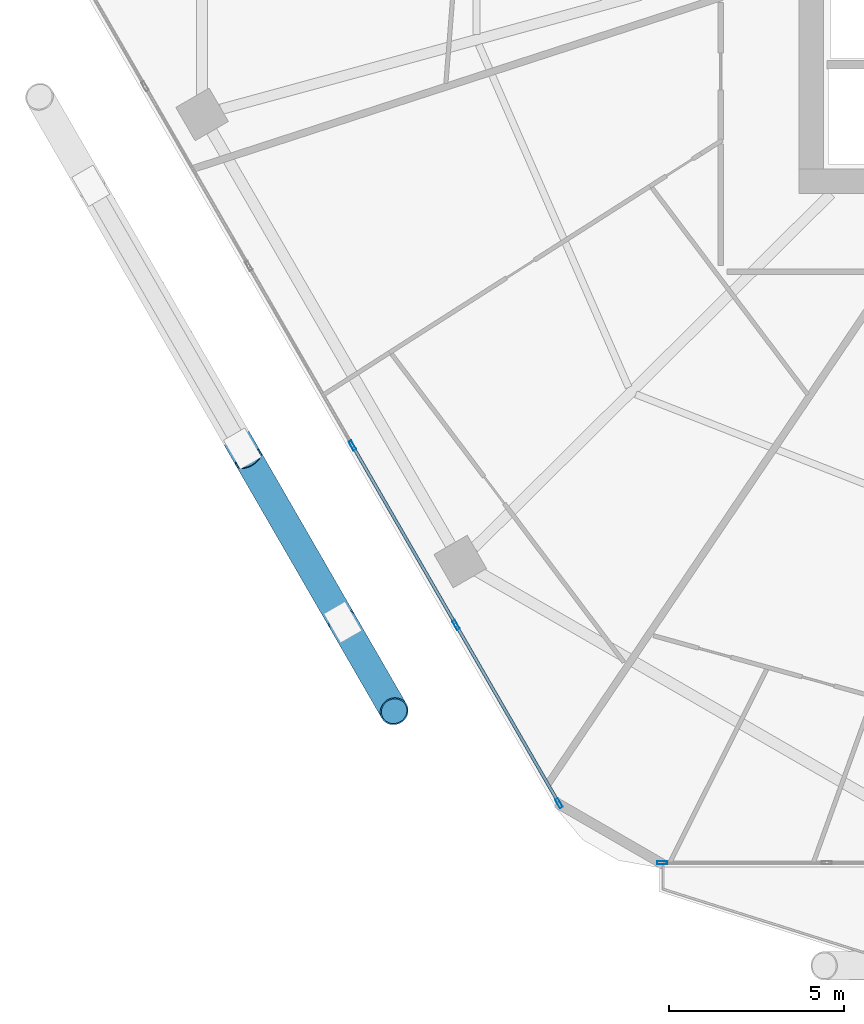
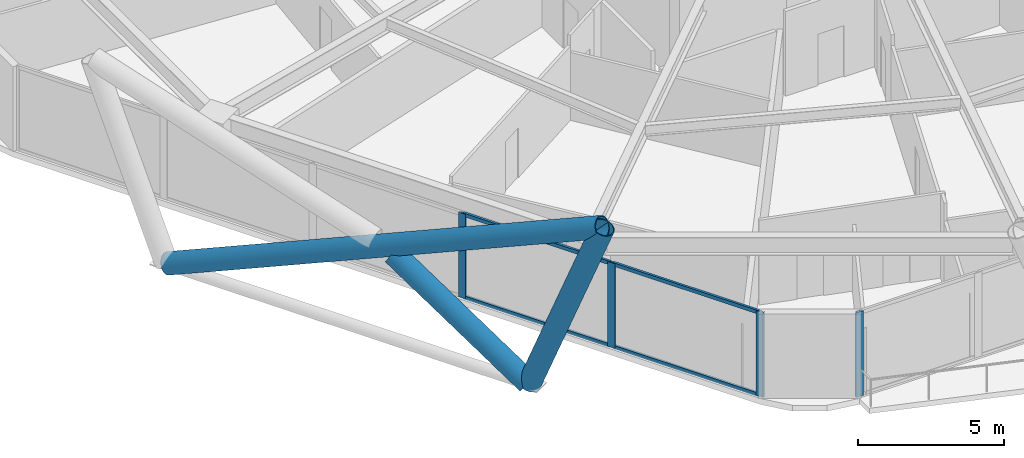
# One storey, part 2 of 35: 11 members, 2 elements without a shape of their own.
"""IFC4 building model written with IfcOpenShell, lengths in metres."""

import ifcopenshell
import ifcopenshell.guid

model = None  # the IFC model being written
_history = None  # IfcOwnerHistory: only IFC2X3 demands one
_inside = {}  # id of a spatial element -> (the spatial element, [elements in it])
_under = {}  # id of a project, library or spatial element -> (it, [spatial elements below it])
_declared = {}  # id of a project -> (the project, [libraries it declares])
_typed = {}  # id of a type object -> (the type object, [elements of that type])
_made_of = {}  # id of a material, layer set ... -> (it, [elements and type objects made of it])


def new_model(schema):
    """Start an empty IFC model of exactly this schema.

    Asked for "IFC4X3", IfcOpenShell would pick the latest addendum, in which some entities
    have other attributes; the version numbers below select the first issue.
    IFC2X3 requires an IfcOwnerHistory on every rooted entity: one is made here for all.
    """
    global model, _history
    if schema == "IFC4X3":
        model = ifcopenshell.file(schema_version=(4, 3, 0, 0))
    else:
        model = ifcopenshell.file(schema=schema)
    _inside.clear()
    _under.clear()
    _declared.clear()
    _typed.clear()
    _made_of.clear()
    _history = None
    if model.schema == "IFC2X3":
        org = make("IfcOrganization", Name="unknown")
        user = make(
            "IfcPersonAndOrganization",
            ThePerson=make("IfcPerson", FamilyName="unknown"),
            TheOrganization=org,
        )
        app = make(
            "IfcApplication",
            ApplicationDeveloper=org,
            Version="unknown",
            ApplicationFullName="unknown",
            ApplicationIdentifier="unknown",
        )
        _history = make(
            "IfcOwnerHistory",
            OwningUser=user,
            OwningApplication=app,
            ChangeAction="ADDED",
            CreationDate=0,
        )
    return model


def make(cls, **values):
    """One entity of the class cls with the attributes given. An attribute that is None is left unset."""
    return model.create_entity(
        cls, **{name: value for name, value in values.items() if value is not None}
    )


def rooted(cls, **values):
    """An entity with a GlobalId (a new one), such as an element, a storey or a relation."""
    return make(cls, GlobalId=ifcopenshell.guid.new(), OwnerHistory=_history, **values)


def si_unit(unit_type, name, prefix=None):
    """IfcSIUnit, for example si_unit("LENGTHUNIT", "METRE", prefix="MILLI")."""
    return make("IfcSIUnit", UnitType=unit_type, Prefix=prefix, Name=name)


def assignment(units):
    """IfcUnitAssignment: the units of a project."""
    return None if units is None else make("IfcUnitAssignment", Units=units)


def point(xyz):
    """IfcCartesianPoint."""
    return None if xyz is None else make("IfcCartesianPoint", Coordinates=xyz)


def direction(xyz):
    """IfcDirection."""
    return None if xyz is None else make("IfcDirection", DirectionRatios=xyz)


def frame(location, z_axis=None, x_axis=None):
    """IfcAxis2Placement3D, a coordinate frame: its origin and axes. An axis left out is left unset."""
    return make(
        "IfcAxis2Placement3D",
        Location=point(location),
        Axis=direction(z_axis),
        RefDirection=direction(x_axis),
    )


def frame_2d(location, x_axis=None):
    """IfcAxis2Placement2D, a coordinate frame in the plane: its origin and x axis."""
    return make(
        "IfcAxis2Placement2D", Location=point(location), RefDirection=direction(x_axis)
    )


def origin():
    """The frame at (0, 0, 0) with its axes left unset."""
    return frame((0.0, 0.0, 0.0))


def origin_2d():
    """The frame at (0, 0) in the plane with its x axis left unset."""
    return frame_2d((0.0, 0.0))


def place(relative_to, where):
    """IfcLocalPlacement: puts the frame where relative to a parent placement (None: the world)."""
    return make(
        "IfcLocalPlacement", PlacementRelTo=relative_to, RelativePlacement=where
    )


def context(
    kind, dimensions, precision=None, world=None, true_north=None, identifier=None
):
    """IfcGeometricRepresentationContext, for example the 3D "Model" context."""
    return make(
        "IfcGeometricRepresentationContext",
        ContextIdentifier=identifier,
        ContextType=kind,
        CoordinateSpaceDimension=dimensions,
        Precision=precision,
        WorldCoordinateSystem=world,
        TrueNorth=true_north,
    )


def subcontext(parent, identifier, kind, view, scale=None):
    """IfcGeometricRepresentationSubContext, for example "Body" below "Model"."""
    return make(
        "IfcGeometricRepresentationSubContext",
        ContextIdentifier=identifier,
        ContextType=kind,
        ParentContext=parent,
        TargetScale=scale,
        TargetView=view,
    )


def project(units=None, contexts=None):
    """IfcProject with its units and contexts."""
    return rooted(
        "IfcProject",
        Name="project",
        RepresentationContexts=contexts,
        UnitsInContext=assignment(units),
    )


def spatial(cls, under=None, at=None, **own):
    """A site, building, storey or space (cls), placed at a placement, below another one or the project."""
    s = rooted(cls, ObjectPlacement=at, **own)
    if under is not None:
        _under.setdefault(under.id(), (under, []))[1].append(s)
    return s


def profile(cls, at=None, kind="AREA", **sizes):
    """A parametric profile (cls). Its sizes go by their IFC names, for example OverallWidth=200.0."""
    return make(cls, ProfileType=kind, Position=at, **sizes)


def hollow_rectangle(**sizes):
    """IfcRectangleHollowProfileDef."""
    return profile("IfcRectangleHollowProfileDef", **sizes)


def hollow_circle(**sizes):
    """IfcCircleHollowProfileDef."""
    return profile("IfcCircleHollowProfileDef", **sizes)


def extrude(swept, where, along, depth):
    """IfcExtrudedAreaSolid: the profile swept, set in the frame where, extruded along a direction by depth."""
    return make(
        "IfcExtrudedAreaSolid",
        SweptArea=swept,
        Position=where,
        ExtrudedDirection=direction(along),
        Depth=depth,
    )


def shape(context_of_items, identifier, shape_type, items):
    """IfcShapeRepresentation: the items that make up one representation, for example the "Body"."""
    return make(
        "IfcShapeRepresentation",
        ContextOfItems=context_of_items,
        RepresentationIdentifier=identifier,
        RepresentationType=shape_type,
        Items=items,
    )


def material(Name=None, Category=None):
    """IfcMaterial."""
    return make("IfcMaterial", Name=Name, Category=Category)


def material_profile(
    of_material, cross_section, Name=None, Category=None, Priority=None
):
    """IfcMaterialProfile: a cross section and its material."""
    return make(
        "IfcMaterialProfile",
        Name=Name,
        Material=of_material,
        Profile=cross_section,
        Priority=Priority,
        Category=Category,
    )


def profile_set(profiles, Name=None, composite=None):
    """IfcMaterialProfileSet."""
    return make(
        "IfcMaterialProfileSet",
        Name=Name,
        MaterialProfiles=profiles,
        CompositeProfile=composite,
    )


def made_of(thing, what):
    """Note that an element or type object is made of a material, layer set ...; save() writes the relation."""
    if what is not None:
        _made_of.setdefault(what.id(), (what, []))[1].append(thing)
    return thing


def type_object(cls, material=None, **own):
    """A type object (cls), such as IfcWallType, which elements share."""
    return made_of(rooted(cls, **own), material)


def element(
    cls,
    number,
    at=None,
    inside=None,
    cuts=None,
    type_object=None,
    material=None,
    context=None,
    identifier="Body",
    shape_type=None,
    held_by="IfcProductDefinitionShape",
    body=None,
    shapes=None,
    **own,
):
    """One element of the class cls, such as IfcWall. Its Tag is "e" and its number.

    at: its placement. inside: the storey or other place that contains it. cuts: it is an
    opening in that element (IfcRelVoidsElement). A single representation is given by context,
    identifier, shape_type and body (its items); several are given by shapes. held_by: the class
    of the entity that holds the representations. save() writes the other relations.
    """
    e = rooted(cls, Tag="e%d" % number, ObjectPlacement=at, **own)
    if body is not None:
        shapes = [shape(context, identifier, shape_type, body)]
    if shapes is not None:
        e.Representation = make(held_by, Representations=shapes)
    if inside is not None:
        _inside.setdefault(inside.id(), (inside, []))[1].append(e)
    if cuts is not None:
        rooted(
            "IfcRelVoidsElement", RelatingBuildingElement=cuts, RelatedOpeningElement=e
        )
    if type_object is not None:
        _typed.setdefault(type_object.id(), (type_object, []))[1].append(e)
    return made_of(e, material)


def aggregate(whole, parts):
    """IfcRelAggregates: a whole, such as a stair, and the parts it consists of."""
    return rooted("IfcRelAggregates", RelatingObject=whole, RelatedObjects=parts)


def save(model, path):
    """Write the relations noted so far, then the file.

    IfcRelAggregates (storeys below a building ...), IfcRelContainedInSpatialStructure (elements
    in a storey), IfcRelDefinesByType, IfcRelAssociatesMaterial and IfcRelDeclares: one each for
    every whole, place, type object, material and project.
    """
    for whole, parts in _under.values():
        aggregate(whole, parts)
    for where, things in _inside.values():
        rooted(
            "IfcRelContainedInSpatialStructure",
            RelatedElements=things,
            RelatingStructure=where,
        )
    for kind, things in _typed.values():
        rooted("IfcRelDefinesByType", RelatedObjects=things, RelatingType=kind)
    for what, things in _made_of.values():
        rooted("IfcRelAssociatesMaterial", RelatedObjects=things, RelatingMaterial=what)
    for by, libraries in _declared.values():
        rooted("IfcRelDeclares", RelatingContext=by, RelatedDefinitions=libraries)
    model.write(path)


model = new_model("IFC4")

# Units and contexts
model_context = context("Model", 3, precision=1e-05, world=origin(), true_north=direction((0.0, 1.0)))
body_context = subcontext(model_context, "Body", "Model", "MODEL_VIEW")
ifc_project = project(units=[si_unit("LENGTHUNIT", "METRE"), si_unit("AREAUNIT", "SQUARE_METRE"), si_unit("VOLUMEUNIT", "CUBIC_METRE"), si_unit("PLANEANGLEUNIT", "RADIAN"), si_unit("MASSUNIT", "GRAM", prefix="KILO")], contexts=[model_context])

# Site, building, storey
site_placement = place(None, origin())
site = spatial("IfcSite", under=ifc_project, at=site_placement, CompositionType="ELEMENT")
building_placement = place(site_placement, origin())
building = spatial("IfcBuilding", under=site, at=building_placement, Name="Zuhravey Tower", CompositionType="ELEMENT")
storey_placement = place(building_placement, frame((0.0, 0.0, 115.199951171875)))
storey = spatial("IfcBuildingStorey", under=building, at=storey_placement, Name="L28", CompositionType="ELEMENT", Elevation=115.199951171875)

# Curtain wall, member
ifc_material_1 = material(Name="Thermally broken anodised aluminium", Category="aluminium")
curtain_wall_type = type_object("IfcCurtainWallType", Name="Zone 1-2 Residential Curtain Wall CW3", PredefinedType="NOTDEFINED", material=ifc_material_1)
curtain_wall_1_placement = place(storey_placement, origin())
curtain_wall_1 = element("IfcCurtainWall", 1, at=curtain_wall_1_placement, inside=storey, type_object=curtain_wall_type, Name="L28 CW3 CW-L28-F5-2", PredefinedType="NOTDEFINED")
ifc_material_2 = material(Name="Anodised aluminium", Category="aluminium")
ifc_material_profile_1 = material_profile(ifc_material_2, hollow_rectangle(XDim=0.090087890625, YDim=0.284912109375, WallThickness=0.0048828125, at=origin_2d()), Name="ALU-RHS-90x285x5")
ifc_profile_set_1 = profile_set([ifc_material_profile_1], Name="Anodised aluminium")
member_type_1 = type_object("IfcMemberType", Name="Curtain-Wall Mullion 90x180", PredefinedType="MULLION", material=ifc_profile_set_1)
member_1_placement = place(storey_placement, frame((21.24560546875, 3.04150390625, 0.0), z_axis=(0.0, 0.0, 1.0), x_axis=(0.0, -1.0, 0.0)))
member_1 = element("IfcMember", 2, at=member_1_placement, type_object=member_type_1, Name="CW3 mullion 3", PredefinedType="MULLION", context=body_context, shape_type="SweptSolid", body=[
    extrude(hollow_rectangle(XDim=0.090087890625, YDim=0.284912109375, WallThickness=0.0048828125, at=origin_2d()), origin(), (0.0, 0.0, 1.0), 3.550048828125),
])
aggregate(curtain_wall_1, [member_1])

# Curtain wall, members
curtain_wall_2_placement = place(storey_placement, origin())
curtain_wall_2 = element("IfcCurtainWall", 3, at=curtain_wall_2_placement, inside=storey, type_object=curtain_wall_type, Name="L28 CW3 CW-L28-F4-1", PredefinedType="NOTDEFINED")
member_2_placement = place(storey_placement, frame((18.298583984375, 4.742919921875, 0.0), z_axis=(0.0, 0.0, 1.0), x_axis=(-0.86602552265, -0.499999794119, 0.0)))
member_2 = element("IfcMember", 4, at=member_2_placement, type_object=member_type_1, Name="CW3 mullion 1", PredefinedType="MULLION", context=body_context, shape_type="SweptSolid", body=[
    extrude(hollow_rectangle(XDim=0.090087890625, YDim=0.284912109375, WallThickness=0.0048828125, at=origin_2d()), origin(), (0.0, 0.0, 1.0), 3.550048828125),
])
member_3_placement = place(storey_placement, frame((15.361083984375, 9.830810546875, 0.0), z_axis=(0.0, 0.0, 1.0), x_axis=(-0.86602552265, -0.499999794119, 0.0)))
member_3 = element("IfcMember", 5, at=member_3_placement, type_object=member_type_1, Name="CW3 mullion 2", PredefinedType="MULLION", context=body_context, shape_type="SweptSolid", body=[
    extrude(hollow_rectangle(XDim=0.090087890625, YDim=0.284912109375, WallThickness=0.0048828125, at=origin_2d()), origin(), (0.0, 0.0, 1.0), 3.550048828125),
])
member_4_placement = place(storey_placement, frame((12.401123046875, 14.95751953125, 0.0), z_axis=(0.0, 0.0, 1.0), x_axis=(-0.86602552265, -0.499999794119, 0.0)))
member_4 = element("IfcMember", 6, at=member_4_placement, type_object=member_type_1, Name="CW3 mullion 3", PredefinedType="MULLION", context=body_context, shape_type="SweptSolid", body=[
    extrude(hollow_rectangle(XDim=0.090087890625, YDim=0.284912109375, WallThickness=0.0048828125, at=origin_2d()), origin(), (0.0, 0.0, 1.0), 3.550048828125),
])
ifc_material_profile_2 = material_profile(ifc_material_2, hollow_rectangle(XDim=0.090087890625, YDim=0.14990234375, WallThickness=0.0048828125, at=origin_2d()), Name="ALU-RHS-90x150x5")
ifc_profile_set_2 = profile_set([ifc_material_profile_2], Name="Anodised aluminium")
member_type_2 = type_object("IfcMemberType", Name="Curtain-Wall Transom 90x150", PredefinedType="USERDEFINED", material=ifc_profile_set_2)
member_5_placement = place(storey_placement, frame((18.27587890625, 4.781982421875, 0.045166015625), z_axis=(-0.499992798144, 0.866029561738, 0.0), x_axis=(-0.866029561738, -0.499992798144, 0.0)))
member_5 = element("IfcMember", 7, at=member_5_placement, type_object=member_type_2, Name="CW3 transom 1.1", ObjectType="TRANSOM", PredefinedType="USERDEFINED", context=body_context, shape_type="SweptSolid", body=[
    extrude(hollow_rectangle(XDim=0.090087890625, YDim=0.14990234375, WallThickness=0.0048828125, at=origin_2d()), origin(), (0.0, 0.0, 1.0), 5.78466796875),
])
member_6_placement = place(storey_placement, frame((18.27587890625, 4.781982421875, 3.505126953125), z_axis=(-0.499992798144, 0.866029561738, 0.0), x_axis=(-0.866029561738, -0.499992798144, 0.0)))
member_6 = element("IfcMember", 8, at=member_6_placement, type_object=member_type_2, Name="CW3 transom 1.2", ObjectType="TRANSOM", PredefinedType="USERDEFINED", context=body_context, shape_type="SweptSolid", body=[
    extrude(hollow_rectangle(XDim=0.090087890625, YDim=0.14990234375, WallThickness=0.0048828125, at=origin_2d()), origin(), (0.0, 0.0, 1.0), 5.78466796875),
])
member_7_placement = place(storey_placement, frame((15.338623046875, 9.86962890625, 0.045166015625), z_axis=(-0.500012451049, 0.866018215049, 0.0), x_axis=(-0.866018215049, -0.500012451049, 0.0)))
member_7 = element("IfcMember", 9, at=member_7_placement, type_object=member_type_2, Name="CW3 transom 2.1", ObjectType="TRANSOM", PredefinedType="USERDEFINED", context=body_context, shape_type="SweptSolid", body=[
    extrude(hollow_rectangle(XDim=0.090087890625, YDim=0.14990234375, WallThickness=0.0048828125, at=origin_2d()), origin(), (0.0, 0.0, 1.0), 5.829833984375),
])
member_8_placement = place(storey_placement, frame((15.338623046875, 9.86962890625, 3.505126953125), z_axis=(-0.500012451049, 0.866018215049, 0.0), x_axis=(-0.866018215049, -0.500012451049, 0.0)))
member_8 = element("IfcMember", 10, at=member_8_placement, type_object=member_type_2, Name="CW3 transom 2.2", ObjectType="TRANSOM", PredefinedType="USERDEFINED", context=body_context, shape_type="SweptSolid", body=[
    extrude(hollow_rectangle(XDim=0.090087890625, YDim=0.14990234375, WallThickness=0.0048828125, at=origin_2d()), origin(), (0.0, 0.0, 1.0), 5.829833984375),
])
aggregate(curtain_wall_2, [member_2, member_3, member_4, member_5, member_6, member_7, member_8])

# Members
ifc_material_3 = material(Name="Steel SM460", Category="steel")
ifc_material_profile_3 = material_profile(ifc_material_3, hollow_circle(Radius=0.406494140625, WallThickness=0.035888671875, at=origin_2d()), Name="CHS-812.8x36")
ifc_profile_set_3 = profile_set([ifc_material_profile_3], Name="Steel SM460")
member_type_3 = type_object("IfcMemberType", Name="Exoskeleton Zone 1 Diagrid CHS813x36", PredefinedType="BRACE", material=ifc_profile_set_3)
member_9_placement = place(storey_placement, frame((4.959228515625, 22.327392578125, -0.44189453125), z_axis=(0.457899571463, -0.793119897067, 0.401607782957), x_axis=(0.866029382339, 0.499993108878, 0.0)))
element("IfcMember", 11, at=member_9_placement, inside=storey, type_object=member_type_3, Name="L28 Face 4 Diagrid Brace 2", PredefinedType="BRACE", context=body_context, shape_type="SweptSolid", body=[
    extrude(hollow_circle(Radius=0.406494140625, WallThickness=0.035888671875, at=origin_2d()), origin(), (0.0, 0.0, 1.0), 18.814208984375),
])
member_10_placement = place(storey_placement, frame((12.132080078125, 9.9033203125, -0.44189453125), z_axis=(0.180574288521, -0.312728273078, 0.932520216158), x_axis=(0.866000778371, 0.500042650041, 0.0)))
element("IfcMember", 12, at=member_10_placement, inside=storey, type_object=member_type_3, Name="L28 Face 4 Diagrid Brace 4", PredefinedType="BRACE", context=body_context, shape_type="SweptSolid", body=[
    extrude(hollow_circle(Radius=0.406494140625, WallThickness=0.035888671875, at=origin_2d()), origin(), (0.0, 0.0, 1.0), 8.102783203125),
])
member_11_placement = place(storey_placement, frame((12.10498046875, 9.9501953125, -0.43359375), z_axis=(-0.416513083029, 0.721451330682, 0.553195109453), x_axis=(-0.866034259299, -0.499984661485, 0.0)))
element("IfcMember", 13, at=member_11_placement, inside=storey, type_object=member_type_3, Name="L28 Face 4 Split Diagrid Brace 3A", PredefinedType="BRACE", context=body_context, shape_type="SweptSolid", body=[
    extrude(hollow_circle(Radius=0.406494140625, WallThickness=0.035888671875, at=origin_2d()), origin(), (0.0, 0.0, 1.0), 6.417724609375),
])

save(model, "model.ifc")
